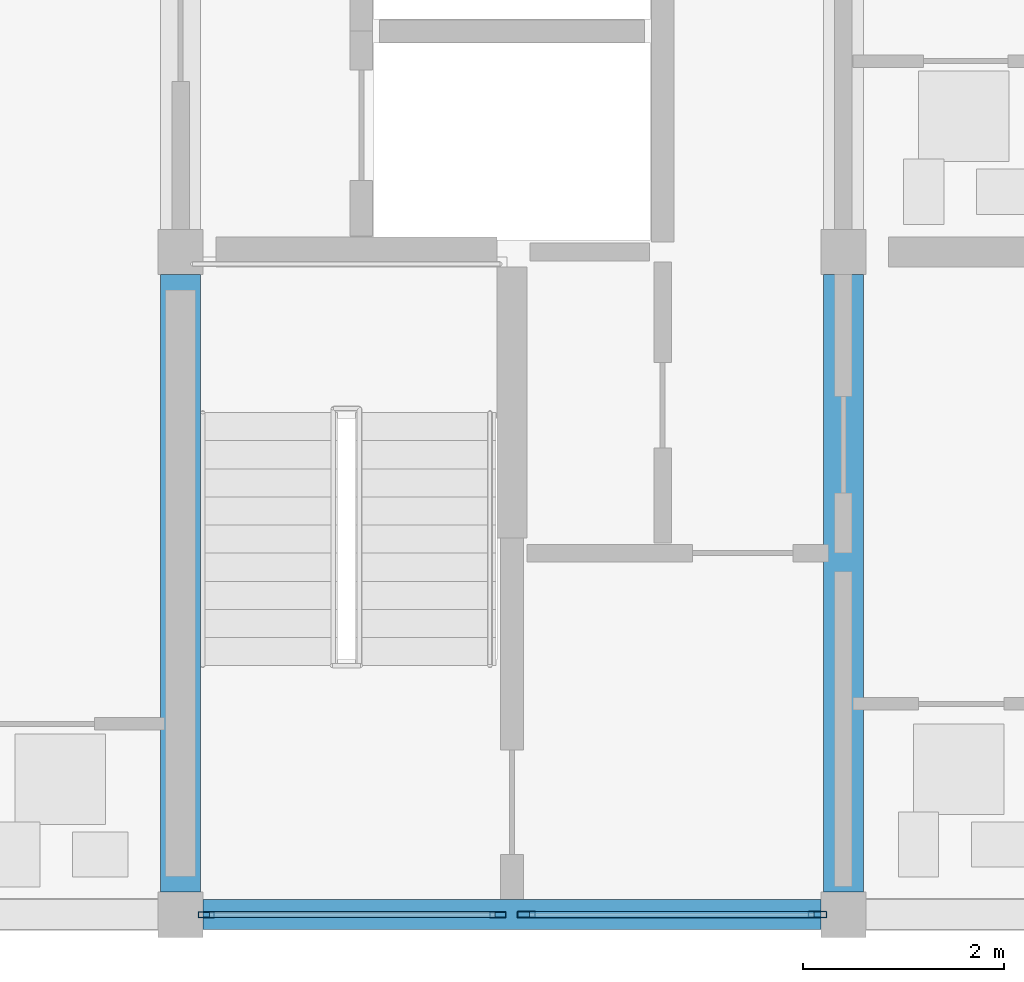
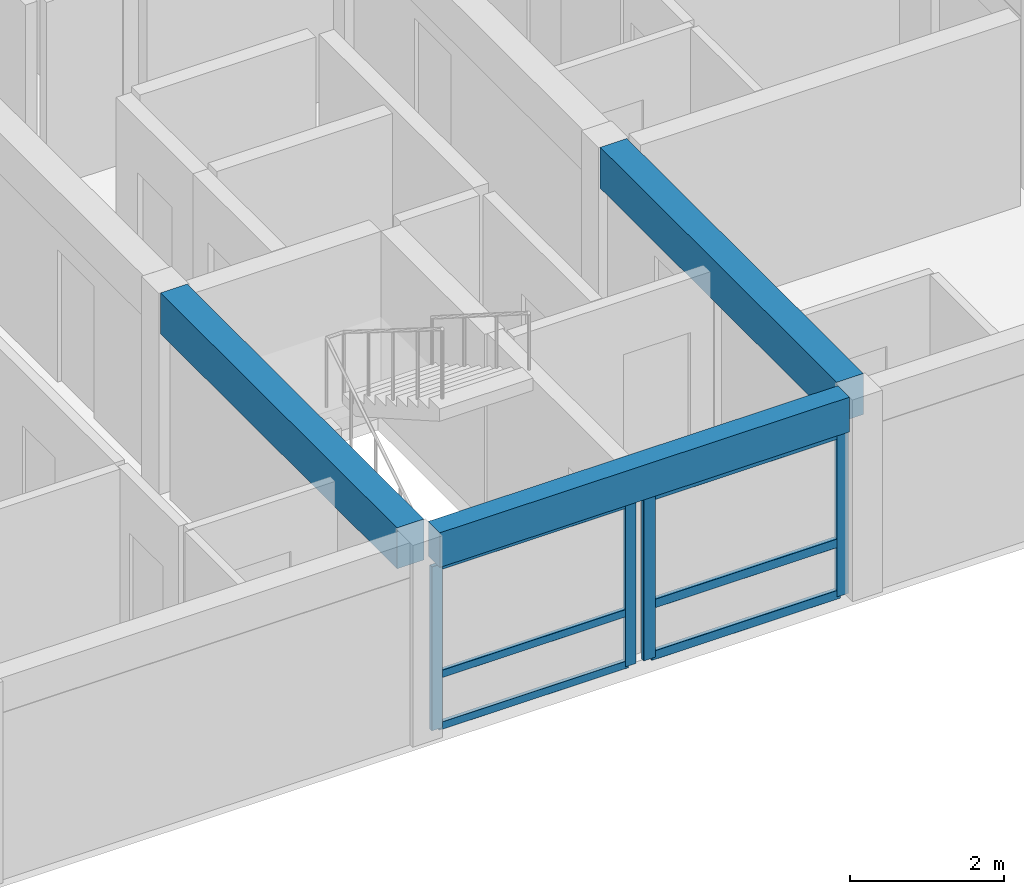
# One storey, part 12 of 45: 10 members, 3 beams, 2 elements without a shape of their own.
"""IFC4 building model written with IfcOpenShell, lengths in metres."""

from ifc_helpers import new_model, si_unit, direction, frame, origin, origin_2d, place, context, subcontext, project, spatial, rectangle, hollow_rectangle, extrude, material, material_profile, profile_set, type_object, element, aggregate, save


model = new_model("IFC4")

# Units and contexts
model_context = context("Model", 3, precision=1e-05, world=origin(), true_north=direction((0.0, 1.0)))
body_context = subcontext(model_context, "Body", "Model", "MODEL_VIEW")
ifc_project = project(units=[si_unit("LENGTHUNIT", "METRE"), si_unit("AREAUNIT", "SQUARE_METRE"), si_unit("VOLUMEUNIT", "CUBIC_METRE"), si_unit("PLANEANGLEUNIT", "RADIAN"), si_unit("MASSUNIT", "GRAM", prefix="KILO")], contexts=[model_context])

# Site, building, storey
site_placement = place(None, origin())
site = spatial("IfcSite", under=ifc_project, at=site_placement, CompositionType="ELEMENT")
building_placement = place(site_placement, origin())
building = spatial("IfcBuilding", under=site, at=building_placement, Name="Kernevlak Ridge Housing Community", CompositionType="ELEMENT")
storey_placement = place(building_placement, frame((0.0, 0.0, 21.199951171875)))
storey = spatial("IfcBuildingStorey", under=building, at=storey_placement, Name="L06", CompositionType="ELEMENT", Elevation=21.199951171875)

# Beams
ifc_material_1 = material(Name="Concrete C35/45", Category="concrete")
ifc_material_profile_1 = material_profile(ifc_material_1, rectangle(XDim=0.39990234375, YDim=0.64990234375, at=origin_2d()), Name="RC 400x650")
ifc_profile_set_1 = profile_set([ifc_material_profile_1], Name="Concrete C35/45")
beam_type_1 = type_object("IfcBeamType", Name="B-03", PredefinedType="T_BEAM", material=ifc_profile_set_1)
for number, where, z_axis, x_axis, name in (
    (1, (132.60009765625, 15.824951171875, 2.875), (0.0, 1.0, 0.0), (-1.0, 0.0, 0.0), "Beam B-03 L06 1138"),
    (2, (139.199951171875, 15.824951171875, 2.875), (0.0, 1.0, 0.0), (-1.0, 0.0, 0.0), "Beam B-03 L06 1142"),
):
    element("IfcBeam", number, at=place(storey_placement, frame(where, z_axis=z_axis, x_axis=x_axis)), inside=storey, type_object=beam_type_1, Name=name, PredefinedType="T_BEAM", context=body_context, shape_type="SweptSolid", body=[
        extrude(rectangle(XDim=0.39990234375, YDim=0.64990234375, at=origin_2d()), origin(), (0.0, 0.0, 1.0), 6.150146484375),
    ])

# Curtain wall, members
ifc_material_2 = material(Name="Aluminium EN AW-6060 anodised and laminated glass", Category="aluminium")
curtain_wall_type_1 = type_object("IfcCurtainWallType", Name="CW-07", PredefinedType="NOTDEFINED", material=ifc_material_2)
curtain_wall_1_placement = place(storey_placement, origin())
curtain_wall_1 = element("IfcCurtainWall", 3, at=curtain_wall_1_placement, inside=storey, type_object=curtain_wall_type_1, Name="Curtain wall CW-07 CW-L06-118", PredefinedType="NOTDEFINED")
ifc_material_3 = material(Name="Aluminium EN AW-6060 anodised", Category="aluminium")
ifc_material_profile_2 = material_profile(ifc_material_3, hollow_rectangle(XDim=0.06005859375, YDim=0.159912109375, WallThickness=0.00390625, InnerFilletRadius=0.001953125, OuterFilletRadius=0.00390625, at=origin_2d()), Name="ALU 60x160x4")
ifc_profile_set_2 = profile_set([ifc_material_profile_2], Name="Aluminium EN AW-6060 anodised")
member_type_1 = type_object("IfcMemberType", Name="MU-02", PredefinedType="MULLION", material=ifc_profile_set_2)
member_1_placement = place(storey_placement, frame((132.85498046875, 15.60009765625, 0.0), z_axis=(0.0, 0.0, 1.0), x_axis=(0.0, 1.0, 0.0)))
member_1 = element("IfcMember", 4, at=member_1_placement, type_object=member_type_1, Name="CW-07 mullion 1", PredefinedType="MULLION", context=body_context, shape_type="SweptSolid", body=[
    extrude(hollow_rectangle(XDim=0.06005859375, YDim=0.159912109375, WallThickness=0.00390625, InnerFilletRadius=0.001953125, OuterFilletRadius=0.00390625, at=origin_2d()), origin(), (0.0, 0.0, 1.0), 2.60009765625),
])
member_2_placement = place(storey_placement, frame((135.760009765625, 15.60009765625, 0.0), z_axis=(0.0, 0.0, 1.0), x_axis=(0.0, 1.0, 0.0)))
member_2 = element("IfcMember", 5, at=member_2_placement, type_object=member_type_1, Name="CW-07 mullion 2", PredefinedType="MULLION", context=body_context, shape_type="SweptSolid", body=[
    extrude(hollow_rectangle(XDim=0.06005859375, YDim=0.159912109375, WallThickness=0.00390625, InnerFilletRadius=0.001953125, OuterFilletRadius=0.00390625, at=origin_2d()), origin(), (0.0, 0.0, 1.0), 2.60009765625),
])

curtain_wall_type_2 = type_object("IfcCurtainWallType", Name="CW-13", PredefinedType="NOTDEFINED", material=ifc_material_2)
curtain_wall_2_placement = place(storey_placement, origin())
curtain_wall_2 = element("IfcCurtainWall", 6, at=curtain_wall_2_placement, inside=storey, type_object=curtain_wall_type_2, Name="Curtain wall CW-13 CW-L06-119", PredefinedType="NOTDEFINED")
ifc_material_profile_3 = material_profile(ifc_material_3, hollow_rectangle(XDim=0.06494140625, YDim=0.179931640625, WallThickness=0.00439453125, InnerFilletRadius=0.001953125, OuterFilletRadius=0.00439453125, at=origin_2d()), Name="ALU 65x180x4.5")
ifc_profile_set_3 = profile_set([ifc_material_profile_3], Name="Aluminium EN AW-6060 anodised")
member_type_2 = type_object("IfcMemberType", Name="MU-03", PredefinedType="MULLION", material=ifc_profile_set_3)
member_3_placement = place(storey_placement, frame((136.04248046875, 15.60009765625, 0.0), z_axis=(0.0, 0.0, 1.0), x_axis=(0.0, 1.0, 0.0)))
member_3 = element("IfcMember", 7, at=member_3_placement, type_object=member_type_2, Name="CW-13 mullion 1", PredefinedType="MULLION", context=body_context, shape_type="SweptSolid", body=[
    extrude(hollow_rectangle(XDim=0.06494140625, YDim=0.179931640625, WallThickness=0.00439453125, InnerFilletRadius=0.001953125, OuterFilletRadius=0.00439453125, at=origin_2d()), origin(), (0.0, 0.0, 1.0), 2.60009765625),
])
member_4_placement = place(storey_placement, frame((138.9423828125, 15.60009765625, 0.0), z_axis=(0.0, 0.0, 1.0), x_axis=(0.0, 1.0, 0.0)))
member_4 = element("IfcMember", 8, at=member_4_placement, type_object=member_type_2, Name="CW-13 mullion 2", PredefinedType="MULLION", context=body_context, shape_type="SweptSolid", body=[
    extrude(hollow_rectangle(XDim=0.06494140625, YDim=0.179931640625, WallThickness=0.00439453125, InnerFilletRadius=0.001953125, OuterFilletRadius=0.00439453125, at=origin_2d()), origin(), (0.0, 0.0, 1.0), 2.60009765625),
])

# Beam
ifc_material_profile_4 = material_profile(ifc_material_1, rectangle(XDim=0.300048828125, YDim=0.550048828125, at=origin_2d()), Name="RC 300x550")
ifc_profile_set_4 = profile_set([ifc_material_profile_4], Name="Concrete C35/45")
beam_type_2 = type_object("IfcBeamType", Name="SP-01", PredefinedType="SPANDREL", material=ifc_profile_set_4)
beam_placement = place(storey_placement, frame((132.824951171875, 15.60009765625, 2.925048828125), z_axis=(1.0, 0.0, 0.0), x_axis=(0.0, 1.0, 0.0)))
element("IfcBeam", 9, at=beam_placement, inside=storey, type_object=beam_type_2, Name="Beam SP-01 L06 1151", PredefinedType="SPANDREL", context=body_context, shape_type="SweptSolid", body=[
    extrude(rectangle(XDim=0.300048828125, YDim=0.550048828125, at=origin_2d()), origin(), (0.0, 0.0, 1.0), 6.150146484375),
])

# Member
ifc_material_profile_5 = material_profile(ifc_material_3, hollow_rectangle(XDim=0.06005859375, YDim=0.1201171875, WallThickness=0.00390625, InnerFilletRadius=0.001953125, OuterFilletRadius=0.00390625, at=origin_2d()), Name="ALU 60x120x4")
ifc_profile_set_5 = profile_set([ifc_material_profile_5], Name="Aluminium EN AW-6060 anodised")
member_type_3 = type_object("IfcMemberType", Name="TM-02", PredefinedType="USERDEFINED", material=ifc_profile_set_5)
member_5_placement = place(storey_placement, frame((132.885009765625, 15.60009765625, 0.030029296875), z_axis=(1.0, 0.0, 0.0), x_axis=(0.0, 1.0, 0.0)))
member_5 = element("IfcMember", 10, at=member_5_placement, type_object=member_type_3, Name="CW-07 transom 1.1", ObjectType="TRANSOM", PredefinedType="USERDEFINED", context=body_context, shape_type="SweptSolid", body=[
    extrude(hollow_rectangle(XDim=0.06005859375, YDim=0.1201171875, WallThickness=0.00390625, InnerFilletRadius=0.001953125, OuterFilletRadius=0.00390625, at=origin_2d()), origin(), (0.0, 0.0, 1.0), 2.844970703125),
])

member_6_placement = place(storey_placement, frame((132.885009765625, 15.60009765625, 0.85009765625), z_axis=(1.0, 0.0, 0.0), x_axis=(0.0, 1.0, 0.0)))
member_6 = element("IfcMember", 11, at=member_6_placement, type_object=member_type_3, Name="CW-07 transom 1.2", ObjectType="TRANSOM", PredefinedType="USERDEFINED", context=body_context, shape_type="SweptSolid", body=[
    extrude(hollow_rectangle(XDim=0.06005859375, YDim=0.1201171875, WallThickness=0.00390625, InnerFilletRadius=0.001953125, OuterFilletRadius=0.00390625, at=origin_2d()), origin(), (0.0, 0.0, 1.0), 2.844970703125),
])

member_7_placement = place(storey_placement, frame((132.885009765625, 15.60009765625, 2.570068359375), z_axis=(1.0, 0.0, 0.0), x_axis=(0.0, 1.0, 0.0)))
member_7 = element("IfcMember", 12, at=member_7_placement, type_object=member_type_3, Name="CW-07 transom 1.3", ObjectType="TRANSOM", PredefinedType="USERDEFINED", context=body_context, shape_type="SweptSolid", body=[
    extrude(hollow_rectangle(XDim=0.06005859375, YDim=0.1201171875, WallThickness=0.00390625, InnerFilletRadius=0.001953125, OuterFilletRadius=0.00390625, at=origin_2d()), origin(), (0.0, 0.0, 1.0), 2.844970703125),
])

aggregate(curtain_wall_1, [member_1, member_2, member_5, member_6, member_7])

ifc_material_profile_6 = material_profile(ifc_material_3, hollow_rectangle(XDim=0.06494140625, YDim=0.139892578125, WallThickness=0.00390625, InnerFilletRadius=0.001953125, OuterFilletRadius=0.00390625, at=origin_2d()), Name="ALU 65x140x4")
ifc_profile_set_6 = profile_set([ifc_material_profile_6], Name="Aluminium EN AW-6060 anodised")
member_type_4 = type_object("IfcMemberType", Name="TM-03", PredefinedType="USERDEFINED", material=ifc_profile_set_6)
member_8_placement = place(storey_placement, frame((136.074951171875, 15.60009765625, 0.032470703125), z_axis=(1.0, 0.0, 0.0), x_axis=(0.0, 1.0, 0.0)))
member_8 = element("IfcMember", 13, at=member_8_placement, type_object=member_type_4, Name="CW-13 transom 1.1", ObjectType="TRANSOM", PredefinedType="USERDEFINED", context=body_context, shape_type="SweptSolid", body=[
    extrude(hollow_rectangle(XDim=0.06494140625, YDim=0.139892578125, WallThickness=0.00390625, InnerFilletRadius=0.001953125, OuterFilletRadius=0.00390625, at=origin_2d()), origin(), (0.0, 0.0, 1.0), 2.8349609375),
])

member_9_placement = place(storey_placement, frame((136.074951171875, 15.60009765625, 0.85009765625), z_axis=(1.0, 0.0, 0.0), x_axis=(0.0, 1.0, 0.0)))
member_9 = element("IfcMember", 14, at=member_9_placement, type_object=member_type_4, Name="CW-13 transom 1.2", ObjectType="TRANSOM", PredefinedType="USERDEFINED", context=body_context, shape_type="SweptSolid", body=[
    extrude(hollow_rectangle(XDim=0.06494140625, YDim=0.139892578125, WallThickness=0.00390625, InnerFilletRadius=0.001953125, OuterFilletRadius=0.00390625, at=origin_2d()), origin(), (0.0, 0.0, 1.0), 2.8349609375),
])

member_10_placement = place(storey_placement, frame((136.074951171875, 15.60009765625, 2.567626953125), z_axis=(1.0, 0.0, 0.0), x_axis=(0.0, 1.0, 0.0)))
member_10 = element("IfcMember", 15, at=member_10_placement, type_object=member_type_4, Name="CW-13 transom 1.3", ObjectType="TRANSOM", PredefinedType="USERDEFINED", context=body_context, shape_type="SweptSolid", body=[
    extrude(hollow_rectangle(XDim=0.06494140625, YDim=0.139892578125, WallThickness=0.00390625, InnerFilletRadius=0.001953125, OuterFilletRadius=0.00390625, at=origin_2d()), origin(), (0.0, 0.0, 1.0), 2.8349609375),
])

aggregate(curtain_wall_2, [member_3, member_4, member_8, member_9, member_10])

save(model, "model.ifc")
